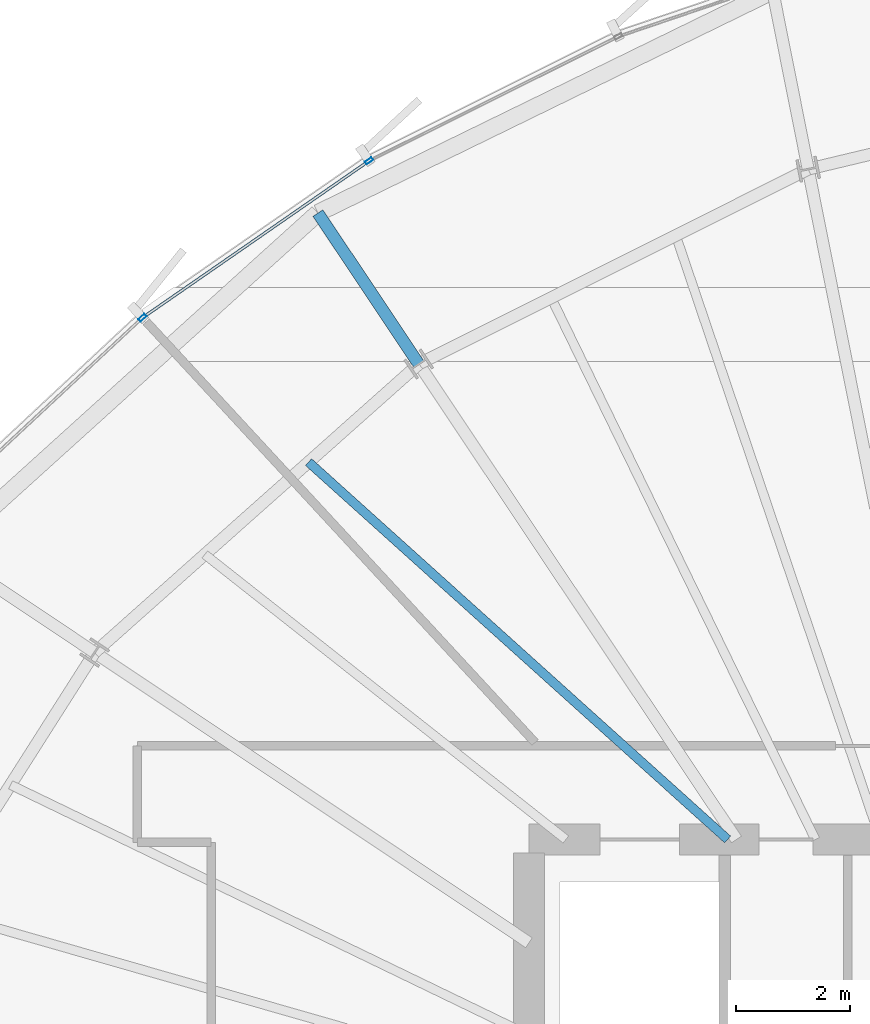
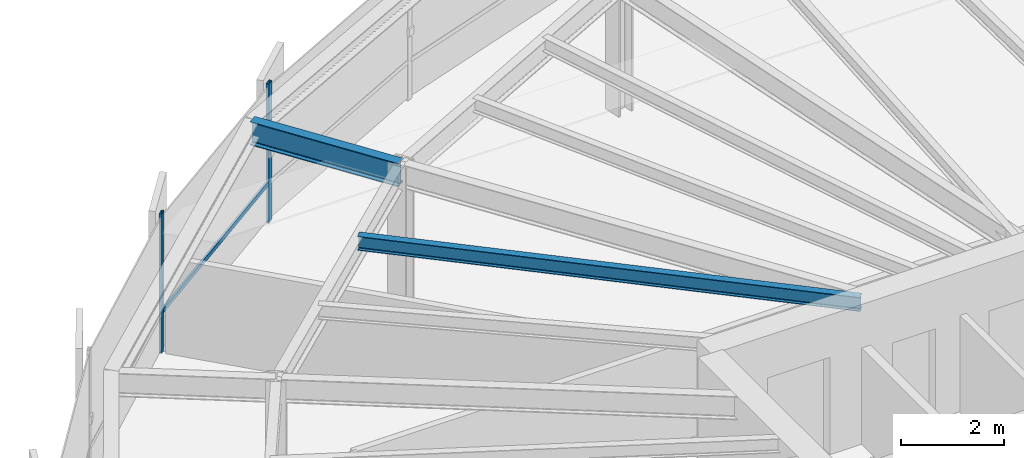
# One storey, part 19 of 32: 3 members, 2 beams, 1 element without a shape of its own.
"""IFC4 building model written with IfcOpenShell, lengths in metres."""

from ifc_helpers import new_model, si_unit, direction, frame, origin, origin_2d, place, context, subcontext, project, spatial, hollow_rectangle, i_section, extrude, source, transform, mapped, material, layer, layer_set, material_profile, profile_set, type_object, element, aggregate, save


model = new_model("IFC4")

# Units and contexts
model_context = context("Model", 3, precision=1e-05, world=origin(), true_north=direction((0.0, 1.0)))
body_context = subcontext(model_context, "Body", "Model", "MODEL_VIEW")
ifc_project = project(units=[si_unit("LENGTHUNIT", "METRE"), si_unit("AREAUNIT", "SQUARE_METRE"), si_unit("VOLUMEUNIT", "CUBIC_METRE"), si_unit("PLANEANGLEUNIT", "RADIAN"), si_unit("MASSUNIT", "GRAM", prefix="KILO"), si_unit("THERMODYNAMICTEMPERATUREUNIT", "KELVIN")], contexts=[model_context])

# Site, building, storey
site_placement = place(None, origin())
site = spatial("IfcSite", under=ifc_project, at=site_placement, CompositionType="ELEMENT")
building_placement = place(site_placement, origin())
building = spatial("IfcBuilding", under=site, at=building_placement, Name="Kethvar Cultural Tower", CompositionType="ELEMENT")
storey_placement = place(building_placement, frame((0.0, 0.0, 157.199951171875)))
storey = spatial("IfcBuildingStorey", under=building, at=storey_placement, Name="L40", CompositionType="ELEMENT", Elevation=157.199951171875)

# Beams
ifc_material_1 = material(Name="Steel S355J2", Category="steel")
ifc_material_profile_1 = material_profile(ifc_material_1, i_section(OverallWidth=0.2099609375, OverallDepth=0.550048828125, WebThickness=0.010986328125, FlangeThickness=0.01708984375, FilletRadius=0.02392578125, at=origin_2d()), Name="Steel S355J2 — IPE550")
ifc_profile_set_1 = profile_set([ifc_material_profile_1], Name="Steel S355J2 — IPE550")
beam_type_1 = type_object("IfcBeamType", Name="BM-IPE550", PredefinedType="BEAM", material=ifc_profile_set_1)
shared_shape_1 = source(origin(), body_context, "Body", "SweptSolid", [
    extrude(i_section(OverallWidth=0.2099609375, OverallDepth=0.550048828125, WebThickness=0.010986328125, FlangeThickness=0.01708984375, FilletRadius=0.02392578125, at=origin_2d()), origin(), (0.0, 0.0, 1.0), 3.2001953125),
])
beam_1_placement = place(storey_placement, frame((36.0576171875, 43.877197265625, 3.02294921875), z_axis=(-0.555544970406, 0.831486491686, 0.0), x_axis=(-0.831486491686, -0.555544970406, 0.0)))
element("IfcBeam", 1, at=beam_1_placement, inside=storey, type_object=beam_type_1, Name="L40 Perimeter Cantilever Beam RC-06", PredefinedType="BEAM", context=body_context, shape_type="MappedRepresentation", body=[
    mapped(shared_shape_1, transform((0.0, 0.0, 0.0), scale=1.0)),
])
ifc_material_profile_2 = material_profile(ifc_material_1, i_section(OverallWidth=0.159912109375, OverallDepth=0.330078125, WebThickness=0.007568359375, FlangeThickness=0.011474609375, FilletRadius=0.01806640625, at=origin_2d()), Name="Steel S355J2 — IPE330")
ifc_profile_set_2 = profile_set([ifc_material_profile_2], Name="Steel S355J2 — IPE330")
beam_type_2 = type_object("IfcBeamType", Name="BM-J330", PredefinedType="JOIST", material=ifc_profile_set_2)
shared_shape_2 = source(origin(), body_context, "Body", "SweptSolid", [
    extrude(i_section(OverallWidth=0.159912109375, OverallDepth=0.330078125, WebThickness=0.007568359375, FlangeThickness=0.011474609375, FilletRadius=0.01806640625, at=origin_2d()), origin(), (0.0, 0.0, 1.0), 9.93701171875),
])
beam_2_placement = place(storey_placement, frame((41.5, 35.5, 3.133056640625), z_axis=(-0.743138974967, 0.669137103952, 0.0), x_axis=(-0.669137103952, -0.743138974967, 0.0)))
element("IfcBeam", 2, at=beam_2_placement, inside=storey, type_object=beam_type_2, Name="L40 Composite Floor Joist J-06A", PredefinedType="JOIST", context=body_context, shape_type="MappedRepresentation", body=[
    mapped(shared_shape_2, transform((0.0, 0.0, 0.0), scale=1.0)),
])

# Curtain wall, members
ifc_material_2 = material(Name="Aluminium 6063-T6", Category="aluminium")
ifc_layer = layer(ifc_material_2, 0.179931640625, Name="Aluminium 6063-T6", Category="aluminium")
ifc_layer_set = layer_set([ifc_layer], Name="Aluminium 6063-T6 (180 mm)")
curtain_wall_type = type_object("IfcCurtainWallType", Name="CW-SYS-04-Z34", PredefinedType="NOTDEFINED", material=ifc_layer_set)
curtain_wall_placement = place(storey_placement, origin())
curtain_wall = element("IfcCurtainWall", 3, at=curtain_wall_placement, inside=storey, type_object=curtain_wall_type, Name="L40 Curtain Wall Run 02", PredefinedType="NOTDEFINED")
ifc_material_profile_3 = material_profile(ifc_material_2, hollow_rectangle(XDim=0.06005859375, YDim=0.139892578125, WallThickness=0.0048828125, at=origin_2d()), Name="Aluminium 6063-T6 — RHS140x60x5")
ifc_profile_set_3 = profile_set([ifc_material_profile_3], Name="Aluminium 6063-T6 — RHS140x60x5")
member_type_1 = type_object("IfcMemberType", Name="CW-SYS-04-Z34-MUL", PredefinedType="MULLION", material=ifc_profile_set_3)
shared_shape_3 = source(origin(), body_context, "Body", "SweptSolid", [
    extrude(hollow_rectangle(XDim=0.06005859375, YDim=0.139892578125, WallThickness=0.0048828125, at=origin_2d()), origin(), (0.0, 0.0, 1.0), 3.300048828125),
])
member_1_placement = place(storey_placement, frame((35.18310546875, 47.45849609375, 0.0), z_axis=(0.0, 0.0, 1.0), x_axis=(0.569322570012, -0.822114232498, 0.0)))
member_1 = element("IfcMember", 4, at=member_1_placement, type_object=member_type_1, Name="CW-L40-R02 Mullion 4", PredefinedType="MULLION", context=body_context, shape_type="MappedRepresentation", body=[
    mapped(shared_shape_3, transform((0.0, 0.0, 0.0), scale=1.0)),
])
member_2_placement = place(storey_placement, frame((31.189697265625, 44.6943359375, 0.0), z_axis=(0.0, 0.0, 1.0), x_axis=(0.681845170745, -0.73149652298, 0.0)))
member_2 = element("IfcMember", 5, at=member_2_placement, type_object=member_type_1, Name="CW-L40-R02 Mullion 5", PredefinedType="MULLION", context=body_context, shape_type="MappedRepresentation", body=[
    mapped(shared_shape_3, transform((0.0, 0.0, 0.0), scale=1.0)),
])
ifc_material_profile_4 = material_profile(ifc_material_2, hollow_rectangle(XDim=0.050048828125, YDim=0.10009765625, WallThickness=0.00390625, at=origin_2d()), Name="Aluminium 6063-T6 — RHS100x50x4")
ifc_profile_set_4 = profile_set([ifc_material_profile_4], Name="Aluminium 6063-T6 — RHS100x50x4")
member_type_2 = type_object("IfcMemberType", Name="CW-SYS-04-Z34-TRN", PredefinedType="USERDEFINED", material=ifc_profile_set_4)
shared_shape_4 = source(origin(), body_context, "Body", "SweptSolid", [
    extrude(hollow_rectangle(XDim=0.050048828125, YDim=0.10009765625, WallThickness=0.00390625, at=origin_2d()), origin(), (0.0, 0.0, 1.0), 4.78662109375),
])
member_3_placement = place(storey_placement, frame((35.147705078125, 47.43408203125, 0.949951171875), z_axis=(-0.822111390184, -0.569326674353, 0.0), x_axis=(0.569326674353, -0.822111390184, 0.0)))
member_3 = element("IfcMember", 6, at=member_3_placement, type_object=member_type_2, Name="CW-L40-R02 Transom 4", ObjectType="TRANSOM", PredefinedType="USERDEFINED", context=body_context, shape_type="MappedRepresentation", body=[
    mapped(shared_shape_4, transform((0.0, 0.0, 0.0), scale=1.0)),
])
aggregate(curtain_wall, [member_1, member_2, member_3])

save(model, "model.ifc")
